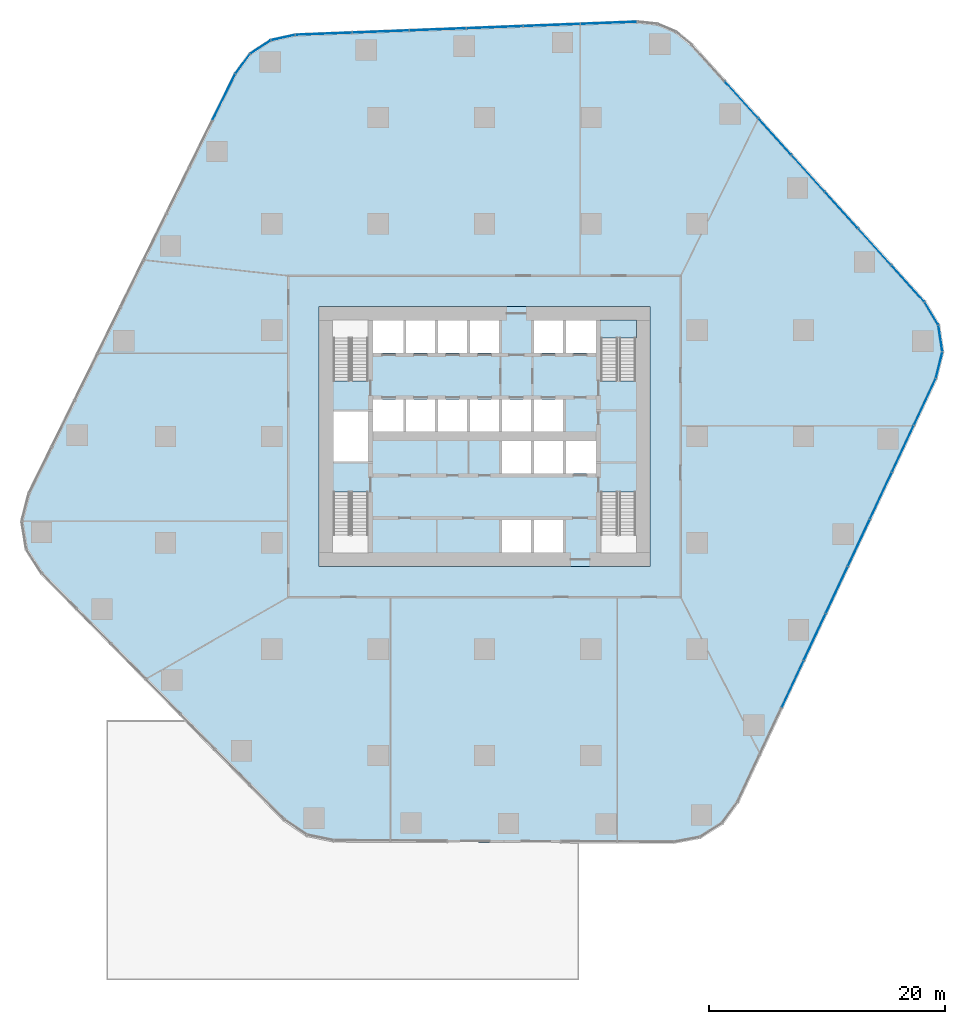
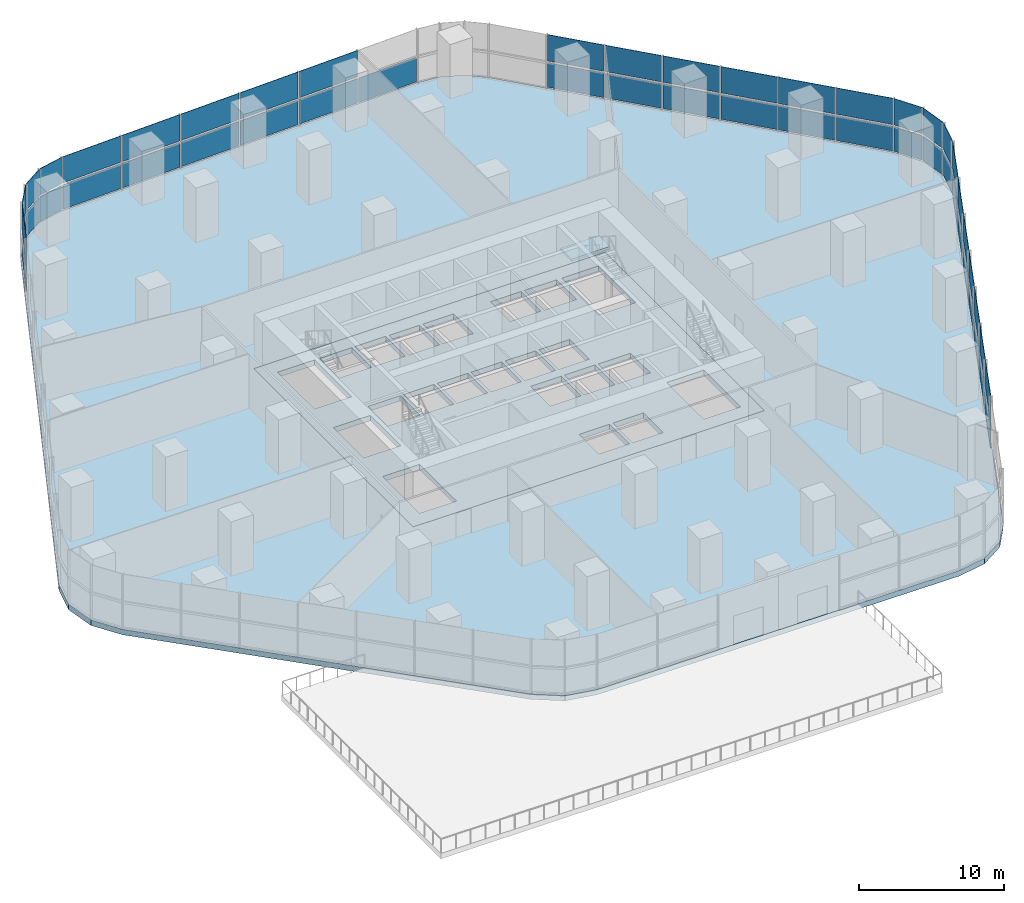
# One storey, part 9 of 15: 51 plates, 3 slabs, 7 elements without a shape of their own.
"""IFC4 building model written with IfcOpenShell, lengths in metres."""

from ifc_helpers import new_model, si_unit, direction, frame, origin, origin_2d, place, context, subcontext, project, spatial, polyline, rectangle, outline, extrude, material, layer, layer_set, type_object, element, aggregate, save


model = new_model("IFC4")

# Units and contexts
model_context = context("Model", 3, precision=1e-05, world=origin(), true_north=direction((0.0, 1.0)))
body_context = subcontext(model_context, "Body", "Model", "MODEL_VIEW")
ifc_project = project(units=[si_unit("LENGTHUNIT", "METRE"), si_unit("AREAUNIT", "SQUARE_METRE"), si_unit("VOLUMEUNIT", "CUBIC_METRE"), si_unit("PLANEANGLEUNIT", "RADIAN"), si_unit("MASSUNIT", "GRAM", prefix="KILO")], contexts=[model_context])

# Site, building, storey
site_placement = place(None, origin())
site = spatial("IfcSite", under=ifc_project, at=site_placement, CompositionType="ELEMENT")
building_placement = place(site_placement, origin())
building = spatial("IfcBuilding", under=site, at=building_placement, Name="Dongbaek Canopy Tower", CompositionType="ELEMENT")
storey_placement = place(building_placement, frame((0.0, 0.0, 33.0)))
storey = spatial("IfcBuildingStorey", under=building, at=storey_placement, Name="L04", CompositionType="ELEMENT", Elevation=33.0)

# Curtain wall, plates
ifc_material_1 = material(Name="Aluminium 6063-T6 pale anodised", Category="aluminium")
ifc_layer_1 = layer(ifc_material_1, 0.300048828125)
ifc_layer_set_1 = layer_set([ifc_layer_1], Name="CW-2 podium hall curtain wall")
curtain_wall_type = type_object("IfcCurtainWallType", Name="CW-2 podium hall curtain wall", PredefinedType="NOTDEFINED", material=ifc_layer_set_1)
curtain_wall_1_placement = place(storey_placement, origin())
curtain_wall_1 = element("IfcCurtainWall", 1, at=curtain_wall_1_placement, inside=storey, type_object=curtain_wall_type, Name="CW-2 curtain wall F0.1", PredefinedType="NOTDEFINED")
ifc_material_2 = material(Name="Clear laminated glass", Category="glass")
ifc_layer_2 = layer(ifc_material_2, 0.035888671875)
ifc_layer_set_2 = layer_set([ifc_layer_2], Name="CW-2 glazed panel 36")
plate_type = type_object("IfcPlateType", Name="CW-2 glazed panel 36", PredefinedType="CURTAIN_PANEL", material=ifc_layer_set_2)
plate_1_placement = place(storey_placement, frame((35.822265625, 12.94873046875, 0.159912109375), z_axis=(0.0, 0.0, 1.0), x_axis=(-0.671259708345, 0.741222236547, 0.0)))
plate_1 = element("IfcPlate", 2, at=plate_1_placement, type_object=plate_type, Name="CW-2 panel F0.1.1.1", PredefinedType="CURTAIN_PANEL", context=body_context, shape_type="SweptSolid", body=[
    extrude(rectangle(XDim=4.081298828125, YDim=0.035888671875, at=origin_2d()), origin(), (0.0, 0.0, 1.0), 2.06005859375),
])
plate_2_placement = place(storey_placement, frame((35.822265625, 12.94873046875, 2.3798828125), z_axis=(0.0, 0.0, 1.0), x_axis=(-0.671259708345, 0.741222236547, 0.0)))
plate_2 = element("IfcPlate", 3, at=plate_2_placement, type_object=plate_type, Name="CW-2 panel F0.1.1.2", PredefinedType="CURTAIN_PANEL", context=body_context, shape_type="SweptSolid", body=[
    extrude(rectangle(XDim=4.081298828125, YDim=0.035888671875, at=origin_2d()), origin(), (0.0, 0.0, 1.0), 2.219970703125),
])
plate_3_placement = place(storey_placement, frame((33.009521484375, 16.0546875, 0.159912109375), z_axis=(0.0, 0.0, 1.0), x_axis=(-0.671259708345, 0.741222236547, 0.0)))
plate_3 = element("IfcPlate", 4, at=plate_3_placement, type_object=plate_type, Name="CW-2 panel F0.1.2.1", PredefinedType="CURTAIN_PANEL", context=body_context, shape_type="SweptSolid", body=[
    extrude(rectangle(XDim=4.091064453125, YDim=0.035888671875, at=origin_2d()), origin(), (0.0, 0.0, 1.0), 2.06005859375),
])
plate_4_placement = place(storey_placement, frame((33.009521484375, 16.0546875, 2.3798828125), z_axis=(0.0, 0.0, 1.0), x_axis=(-0.671259708345, 0.741222236547, 0.0)))
plate_4 = element("IfcPlate", 5, at=plate_4_placement, type_object=plate_type, Name="CW-2 panel F0.1.2.2", PredefinedType="CURTAIN_PANEL", context=body_context, shape_type="SweptSolid", body=[
    extrude(rectangle(XDim=4.091064453125, YDim=0.035888671875, at=origin_2d()), origin(), (0.0, 0.0, 1.0), 2.219970703125),
])
plate_5_placement = place(storey_placement, frame((30.193603515625, 19.164306640625, 0.159912109375), z_axis=(0.0, 0.0, 1.0), x_axis=(-0.671259708345, 0.741222236547, 0.0)))
plate_5 = element("IfcPlate", 6, at=plate_5_placement, type_object=plate_type, Name="CW-2 panel F0.1.3.1", PredefinedType="CURTAIN_PANEL", context=body_context, shape_type="SweptSolid", body=[
    extrude(rectangle(XDim=4.091064453125, YDim=0.035888671875, at=origin_2d()), origin(), (0.0, 0.0, 1.0), 2.06005859375),
])
plate_6_placement = place(storey_placement, frame((30.193603515625, 19.164306640625, 2.3798828125), z_axis=(0.0, 0.0, 1.0), x_axis=(-0.671259708345, 0.741222236547, 0.0)))
plate_6 = element("IfcPlate", 7, at=plate_6_placement, type_object=plate_type, Name="CW-2 panel F0.1.3.2", PredefinedType="CURTAIN_PANEL", context=body_context, shape_type="SweptSolid", body=[
    extrude(rectangle(XDim=4.091064453125, YDim=0.035888671875, at=origin_2d()), origin(), (0.0, 0.0, 1.0), 2.219970703125),
])
plate_7_placement = place(storey_placement, frame((27.37744140625, 22.27392578125, 0.159912109375), z_axis=(0.0, 0.0, 1.0), x_axis=(-0.671259708345, 0.741222236547, 0.0)))
plate_7 = element("IfcPlate", 8, at=plate_7_placement, type_object=plate_type, Name="CW-2 panel F0.1.4.1", PredefinedType="CURTAIN_PANEL", context=body_context, shape_type="SweptSolid", body=[
    extrude(rectangle(XDim=4.091064453125, YDim=0.035888671875, at=origin_2d()), origin(), (0.0, 0.0, 1.0), 2.06005859375),
])
plate_8_placement = place(storey_placement, frame((27.37744140625, 22.27392578125, 2.3798828125), z_axis=(0.0, 0.0, 1.0), x_axis=(-0.671259708345, 0.741222236547, 0.0)))
plate_8 = element("IfcPlate", 9, at=plate_8_placement, type_object=plate_type, Name="CW-2 panel F0.1.4.2", PredefinedType="CURTAIN_PANEL", context=body_context, shape_type="SweptSolid", body=[
    extrude(rectangle(XDim=4.091064453125, YDim=0.035888671875, at=origin_2d()), origin(), (0.0, 0.0, 1.0), 2.219970703125),
])
plate_9_placement = place(storey_placement, frame((24.5615234375, 25.38330078125, 0.159912109375), z_axis=(0.0, 0.0, 1.0), x_axis=(-0.671259708345, 0.741222236547, 0.0)))
plate_9 = element("IfcPlate", 10, at=plate_9_placement, type_object=plate_type, Name="CW-2 panel F0.1.5.1", PredefinedType="CURTAIN_PANEL", context=body_context, shape_type="SweptSolid", body=[
    extrude(rectangle(XDim=4.091064453125, YDim=0.035888671875, at=origin_2d()), origin(), (0.0, 0.0, 1.0), 2.06005859375),
])
plate_10_placement = place(storey_placement, frame((24.5615234375, 25.38330078125, 2.3798828125), z_axis=(0.0, 0.0, 1.0), x_axis=(-0.671259708345, 0.741222236547, 0.0)))
plate_10 = element("IfcPlate", 11, at=plate_10_placement, type_object=plate_type, Name="CW-2 panel F0.1.5.2", PredefinedType="CURTAIN_PANEL", context=body_context, shape_type="SweptSolid", body=[
    extrude(rectangle(XDim=4.091064453125, YDim=0.035888671875, at=origin_2d()), origin(), (0.0, 0.0, 1.0), 2.219970703125),
])
plate_11_placement = place(storey_placement, frame((21.745361328125, 28.492919921875, 0.159912109375), z_axis=(0.0, 0.0, 1.0), x_axis=(-0.671259708345, 0.741222236547, 0.0)))
plate_11 = element("IfcPlate", 12, at=plate_11_placement, type_object=plate_type, Name="CW-2 panel F0.1.6.1", PredefinedType="CURTAIN_PANEL", context=body_context, shape_type="SweptSolid", body=[
    extrude(rectangle(XDim=4.091064453125, YDim=0.035888671875, at=origin_2d()), origin(), (0.0, 0.0, 1.0), 2.06005859375),
])
plate_12_placement = place(storey_placement, frame((21.745361328125, 28.492919921875, 2.3798828125), z_axis=(0.0, 0.0, 1.0), x_axis=(-0.671259708345, 0.741222236547, 0.0)))
plate_12 = element("IfcPlate", 13, at=plate_12_placement, type_object=plate_type, Name="CW-2 panel F0.1.6.2", PredefinedType="CURTAIN_PANEL", context=body_context, shape_type="SweptSolid", body=[
    extrude(rectangle(XDim=4.091064453125, YDim=0.035888671875, at=origin_2d()), origin(), (0.0, 0.0, 1.0), 2.219970703125),
])
aggregate(curtain_wall_1, [plate_1, plate_2, plate_3, plate_4, plate_5, plate_6, plate_7, plate_8, plate_9, plate_10, plate_11, plate_12])

curtain_wall_2_placement = place(storey_placement, origin())
curtain_wall_2 = element("IfcCurtainWall", 14, at=curtain_wall_2_placement, inside=storey, type_object=curtain_wall_type, Name="CW-2 curtain wall F1.1", PredefinedType="NOTDEFINED")
plate_13_placement = place(storey_placement, frame((10.507080078125, 35.0, 0.159912109375), z_axis=(0.0, 0.0, 1.0), x_axis=(-0.999268890746, -0.038231975991, 0.0)))
plate_13 = element("IfcPlate", 15, at=plate_13_placement, type_object=plate_type, Name="CW-2 panel F1.1.1.1", PredefinedType="CURTAIN_PANEL", context=body_context, shape_type="SweptSolid", body=[
    extrude(rectangle(XDim=4.716064453125, YDim=0.035888671875, at=origin_2d()), origin(), (0.0, 0.0, 1.0), 2.06005859375),
])
plate_14_placement = place(storey_placement, frame((5.686767578125, 34.815673828125, 0.159912109375), z_axis=(0.0, 0.0, 1.0), x_axis=(-0.999268890746, -0.038231975991, 0.0)))
plate_14 = element("IfcPlate", 16, at=plate_14_placement, type_object=plate_type, Name="CW-2 panel F1.1.2.1", PredefinedType="CURTAIN_PANEL", context=body_context, shape_type="SweptSolid", body=[
    extrude(rectangle(XDim=4.723388671875, YDim=0.035888671875, at=origin_2d()), origin(), (0.0, 0.0, 1.0), 2.06005859375),
])
plate_15_placement = place(storey_placement, frame((5.686767578125, 34.815673828125, 2.3798828125), z_axis=(0.0, 0.0, 1.0), x_axis=(-0.999268890746, -0.038231975991, 0.0)))
plate_15 = element("IfcPlate", 17, at=plate_15_placement, type_object=plate_type, Name="CW-2 panel F1.1.2.2", PredefinedType="CURTAIN_PANEL", context=body_context, shape_type="SweptSolid", body=[
    extrude(rectangle(XDim=4.723388671875, YDim=0.035888671875, at=origin_2d()), origin(), (0.0, 0.0, 1.0), 2.219970703125),
])
plate_16_placement = place(storey_placement, frame((0.86279296875, 34.631103515625, 0.159912109375), z_axis=(0.0, 0.0, 1.0), x_axis=(-0.999268890746, -0.038231975991, 0.0)))
plate_16 = element("IfcPlate", 18, at=plate_16_placement, type_object=plate_type, Name="CW-2 panel F1.1.3.1", PredefinedType="CURTAIN_PANEL", context=body_context, shape_type="SweptSolid", body=[
    extrude(rectangle(XDim=4.723388671875, YDim=0.035888671875, at=origin_2d()), origin(), (0.0, 0.0, 1.0), 2.06005859375),
])
plate_17_placement = place(storey_placement, frame((0.86279296875, 34.631103515625, 2.3798828125), z_axis=(0.0, 0.0, 1.0), x_axis=(-0.999268890746, -0.038231975991, 0.0)))
plate_17 = element("IfcPlate", 19, at=plate_17_placement, type_object=plate_type, Name="CW-2 panel F1.1.3.2", PredefinedType="CURTAIN_PANEL", context=body_context, shape_type="SweptSolid", body=[
    extrude(rectangle(XDim=4.723388671875, YDim=0.035888671875, at=origin_2d()), origin(), (0.0, 0.0, 1.0), 2.219970703125),
])
plate_18_placement = place(storey_placement, frame((-3.9609375, 34.446533203125, 0.159912109375), z_axis=(0.0, 0.0, 1.0), x_axis=(-0.999268890746, -0.038231975991, 0.0)))
plate_18 = element("IfcPlate", 20, at=plate_18_placement, type_object=plate_type, Name="CW-2 panel F1.1.4.1", PredefinedType="CURTAIN_PANEL", context=body_context, shape_type="SweptSolid", body=[
    extrude(rectangle(XDim=4.723388671875, YDim=0.035888671875, at=origin_2d()), origin(), (0.0, 0.0, 1.0), 2.06005859375),
])
plate_19_placement = place(storey_placement, frame((-3.9609375, 34.446533203125, 2.3798828125), z_axis=(0.0, 0.0, 1.0), x_axis=(-0.999268890746, -0.038231975991, 0.0)))
plate_19 = element("IfcPlate", 21, at=plate_19_placement, type_object=plate_type, Name="CW-2 panel F1.1.4.2", PredefinedType="CURTAIN_PANEL", context=body_context, shape_type="SweptSolid", body=[
    extrude(rectangle(XDim=4.723388671875, YDim=0.035888671875, at=origin_2d()), origin(), (0.0, 0.0, 1.0), 2.219970703125),
])
plate_20_placement = place(storey_placement, frame((-8.784912109375, 34.261962890625, 0.159912109375), z_axis=(0.0, 0.0, 1.0), x_axis=(-0.999268890746, -0.038231975991, 0.0)))
plate_20 = element("IfcPlate", 22, at=plate_20_placement, type_object=plate_type, Name="CW-2 panel F1.1.5.1", PredefinedType="CURTAIN_PANEL", context=body_context, shape_type="SweptSolid", body=[
    extrude(rectangle(XDim=4.723388671875, YDim=0.035888671875, at=origin_2d()), origin(), (0.0, 0.0, 1.0), 2.06005859375),
])
plate_21_placement = place(storey_placement, frame((-8.784912109375, 34.261962890625, 2.3798828125), z_axis=(0.0, 0.0, 1.0), x_axis=(-0.999268890746, -0.038231975991, 0.0)))
plate_21 = element("IfcPlate", 23, at=plate_21_placement, type_object=plate_type, Name="CW-2 panel F1.1.5.2", PredefinedType="CURTAIN_PANEL", context=body_context, shape_type="SweptSolid", body=[
    extrude(rectangle(XDim=4.723388671875, YDim=0.035888671875, at=origin_2d()), origin(), (0.0, 0.0, 1.0), 2.219970703125),
])
plate_22_placement = place(storey_placement, frame((-13.604248046875, 34.07763671875, 0.159912109375), z_axis=(0.0, 0.0, 1.0), x_axis=(-0.999268890746, -0.038231975991, 0.0)))
plate_22 = element("IfcPlate", 24, at=plate_22_placement, type_object=plate_type, Name="CW-2 panel F1.1.6.1", PredefinedType="CURTAIN_PANEL", context=body_context, shape_type="SweptSolid", body=[
    extrude(rectangle(XDim=4.71435546875, YDim=0.035888671875, at=origin_2d()), origin(), (0.0, 0.0, 1.0), 2.06005859375),
])
plate_23_placement = place(storey_placement, frame((-13.604248046875, 34.07763671875, 2.3798828125), z_axis=(0.0, 0.0, 1.0), x_axis=(-0.999268890746, -0.038231975991, 0.0)))
plate_23 = element("IfcPlate", 25, at=plate_23_placement, type_object=plate_type, Name="CW-2 panel F1.1.6.2", PredefinedType="CURTAIN_PANEL", context=body_context, shape_type="SweptSolid", body=[
    extrude(rectangle(XDim=4.71435546875, YDim=0.035888671875, at=origin_2d()), origin(), (0.0, 0.0, 1.0), 2.219970703125),
])
aggregate(curtain_wall_2, [plate_13, plate_14, plate_15, plate_16, plate_17, plate_18, plate_19, plate_20, plate_21, plate_22, plate_23])

curtain_wall_3_placement = place(storey_placement, origin())
curtain_wall_3 = element("IfcCurtainWall", 26, at=curtain_wall_3_placement, inside=storey, type_object=curtain_wall_type, Name="CW-2 curtain wall K1.1", PredefinedType="NOTDEFINED")
plate_24_placement = place(storey_placement, frame((-17.04296875, 33.757568359375, 0.159912109375), z_axis=(0.0, 0.0, 1.0), x_axis=(-0.976443135991, -0.215774887734, 0.0)))
plate_24 = element("IfcPlate", 27, at=plate_24_placement, type_object=plate_type, Name="CW-2 panel K1.1.1.1", PredefinedType="CURTAIN_PANEL", context=body_context, shape_type="SweptSolid", body=[
    extrude(rectangle(XDim=2.00830078125, YDim=0.035888671875, at=origin_2d()), origin(), (0.0, 0.0, 1.0), 2.06005859375),
])
plate_25_placement = place(storey_placement, frame((-17.04296875, 33.757568359375, 2.3798828125), z_axis=(0.0, 0.0, 1.0), x_axis=(-0.976443135991, -0.215774887734, 0.0)))
plate_25 = element("IfcPlate", 28, at=plate_25_placement, type_object=plate_type, Name="CW-2 panel K1.1.1.2", PredefinedType="CURTAIN_PANEL", context=body_context, shape_type="SweptSolid", body=[
    extrude(rectangle(XDim=2.00830078125, YDim=0.035888671875, at=origin_2d()), origin(), (0.0, 0.0, 1.0), 2.219970703125),
])
plate_26_placement = place(storey_placement, frame((-18.956298828125, 32.956787109375, 0.159912109375), z_axis=(0.0, 0.0, 1.0), x_axis=(-0.83866333439, -0.544650173552, 0.0)))
plate_26 = element("IfcPlate", 29, at=plate_26_placement, type_object=plate_type, Name="CW-2 panel K1.1.2.1", PredefinedType="CURTAIN_PANEL", context=body_context, shape_type="SweptSolid", body=[
    extrude(rectangle(XDim=1.999267578125, YDim=0.035888671875, at=origin_2d()), origin(), (0.0, 0.0, 1.0), 2.06005859375),
])
plate_27_placement = place(storey_placement, frame((-18.956298828125, 32.956787109375, 2.3798828125), z_axis=(0.0, 0.0, 1.0), x_axis=(-0.83866333439, -0.544650173552, 0.0)))
plate_27 = element("IfcPlate", 30, at=plate_27_placement, type_object=plate_type, Name="CW-2 panel K1.1.2.2", PredefinedType="CURTAIN_PANEL", context=body_context, shape_type="SweptSolid", body=[
    extrude(rectangle(XDim=1.999267578125, YDim=0.035888671875, at=origin_2d()), origin(), (0.0, 0.0, 1.0), 2.219970703125),
])
plate_28_placement = place(storey_placement, frame((-20.4658203125, 31.53466796875, 0.159912109375), z_axis=(0.0, 0.0, 1.0), x_axis=(-0.594253266515, -0.804277971373, 0.0)))
plate_28 = element("IfcPlate", 31, at=plate_28_placement, type_object=plate_type, Name="CW-2 panel K1.1.3.1", PredefinedType="CURTAIN_PANEL", context=body_context, shape_type="SweptSolid", body=[
    extrude(rectangle(XDim=2.00830078125, YDim=0.035888671875, at=origin_2d()), origin(), (0.0, 0.0, 1.0), 2.06005859375),
])
plate_29_placement = place(storey_placement, frame((-20.4658203125, 31.53466796875, 2.3798828125), z_axis=(0.0, 0.0, 1.0), x_axis=(-0.594253266515, -0.804277971373, 0.0)))
plate_29 = element("IfcPlate", 32, at=plate_29_placement, type_object=plate_type, Name="CW-2 panel K1.1.3.2", PredefinedType="CURTAIN_PANEL", context=body_context, shape_type="SweptSolid", body=[
    extrude(rectangle(XDim=2.00830078125, YDim=0.035888671875, at=origin_2d()), origin(), (0.0, 0.0, 1.0), 2.219970703125),
])
aggregate(curtain_wall_3, [plate_24, plate_25, plate_26, plate_27, plate_28, plate_29])

curtain_wall_4_placement = place(storey_placement, origin())
curtain_wall_4 = element("IfcCurtainWall", 33, at=curtain_wall_4_placement, inside=storey, type_object=curtain_wall_type, Name="CW-2 curtain wall F2.1", PredefinedType="NOTDEFINED")
plate_30_placement = place(storey_placement, frame((-22.062255859375, 28.71533203125, 0.159912109375), z_axis=(0.0, 0.0, 1.0), x_axis=(-0.441341613378, -0.897339166815, 0.0)))
plate_30 = element("IfcPlate", 34, at=plate_30_placement, type_object=plate_type, Name="CW-2 panel F2.1.1.1", PredefinedType="CURTAIN_PANEL", context=body_context, shape_type="SweptSolid", body=[
    extrude(rectangle(XDim=4.286376953125, YDim=0.035888671875, at=origin_2d()), origin(), (0.0, 0.0, 1.0), 2.06005859375),
])
plate_31_placement = place(storey_placement, frame((-22.062255859375, 28.71533203125, 2.3798828125), z_axis=(0.0, 0.0, 1.0), x_axis=(-0.441341613378, -0.897339166815, 0.0)))
plate_31 = element("IfcPlate", 35, at=plate_31_placement, type_object=plate_type, Name="CW-2 panel F2.1.1.2", PredefinedType="CURTAIN_PANEL", context=body_context, shape_type="SweptSolid", body=[
    extrude(rectangle(XDim=4.286376953125, YDim=0.035888671875, at=origin_2d()), origin(), (0.0, 0.0, 1.0), 2.219970703125),
])
aggregate(curtain_wall_4, [plate_30, plate_31])

curtain_wall_5_placement = place(storey_placement, origin())
curtain_wall_5 = element("IfcCurtainWall", 36, at=curtain_wall_5_placement, inside=storey, type_object=curtain_wall_type, Name="CW-2 curtain wall F5.1", PredefinedType="NOTDEFINED")
plate_32_placement = place(storey_placement, frame((26.078857421875, -20.961181640625, 0.159912109375), z_axis=(0.0, 0.0, 1.0), x_axis=(0.424122871275, 0.905604654395, 0.0)))
plate_32 = element("IfcPlate", 37, at=plate_32_placement, type_object=plate_type, Name="CW-2 panel F5.1.3.1", PredefinedType="CURTAIN_PANEL", context=body_context, shape_type="SweptSolid", body=[
    extrude(rectangle(XDim=4.2939453125, YDim=0.035888671875, at=origin_2d()), origin(), (0.0, 0.0, 1.0), 2.06005859375),
])
plate_33_placement = place(storey_placement, frame((26.078857421875, -20.961181640625, 2.3798828125), z_axis=(0.0, 0.0, 1.0), x_axis=(0.424122871275, 0.905604654395, 0.0)))
plate_33 = element("IfcPlate", 38, at=plate_33_placement, type_object=plate_type, Name="CW-2 panel F5.1.3.2", PredefinedType="CURTAIN_PANEL", context=body_context, shape_type="SweptSolid", body=[
    extrude(rectangle(XDim=4.2939453125, YDim=0.035888671875, at=origin_2d()), origin(), (0.0, 0.0, 1.0), 2.219970703125),
])
plate_34_placement = place(storey_placement, frame((27.9443359375, -16.978271484375, 0.159912109375), z_axis=(0.0, 0.0, 1.0), x_axis=(0.424122871275, 0.905604654395, 0.0)))
plate_34 = element("IfcPlate", 39, at=plate_34_placement, type_object=plate_type, Name="CW-2 panel F5.1.4.1", PredefinedType="CURTAIN_PANEL", context=body_context, shape_type="SweptSolid", body=[
    extrude(rectangle(XDim=4.2939453125, YDim=0.035888671875, at=origin_2d()), origin(), (0.0, 0.0, 1.0), 2.06005859375),
])
plate_35_placement = place(storey_placement, frame((27.9443359375, -16.978271484375, 2.3798828125), z_axis=(0.0, 0.0, 1.0), x_axis=(0.424122871275, 0.905604654395, 0.0)))
plate_35 = element("IfcPlate", 40, at=plate_35_placement, type_object=plate_type, Name="CW-2 panel F5.1.4.2", PredefinedType="CURTAIN_PANEL", context=body_context, shape_type="SweptSolid", body=[
    extrude(rectangle(XDim=4.2939453125, YDim=0.035888671875, at=origin_2d()), origin(), (0.0, 0.0, 1.0), 2.219970703125),
])
plate_36_placement = place(storey_placement, frame((29.8095703125, -12.995361328125, 0.159912109375), z_axis=(0.0, 0.0, 1.0), x_axis=(0.424122871275, 0.905604654395, 0.0)))
plate_36 = element("IfcPlate", 41, at=plate_36_placement, type_object=plate_type, Name="CW-2 panel F5.1.5.1", PredefinedType="CURTAIN_PANEL", context=body_context, shape_type="SweptSolid", body=[
    extrude(rectangle(XDim=4.2939453125, YDim=0.035888671875, at=origin_2d()), origin(), (0.0, 0.0, 1.0), 2.06005859375),
])
plate_37_placement = place(storey_placement, frame((29.8095703125, -12.995361328125, 2.3798828125), z_axis=(0.0, 0.0, 1.0), x_axis=(0.424122871275, 0.905604654395, 0.0)))
plate_37 = element("IfcPlate", 42, at=plate_37_placement, type_object=plate_type, Name="CW-2 panel F5.1.5.2", PredefinedType="CURTAIN_PANEL", context=body_context, shape_type="SweptSolid", body=[
    extrude(rectangle(XDim=4.2939453125, YDim=0.035888671875, at=origin_2d()), origin(), (0.0, 0.0, 1.0), 2.219970703125),
])
plate_38_placement = place(storey_placement, frame((31.6748046875, -9.012451171875, 0.159912109375), z_axis=(0.0, 0.0, 1.0), x_axis=(0.424122871275, 0.905604654395, 0.0)))
plate_38 = element("IfcPlate", 43, at=plate_38_placement, type_object=plate_type, Name="CW-2 panel F5.1.6.1", PredefinedType="CURTAIN_PANEL", context=body_context, shape_type="SweptSolid", body=[
    extrude(rectangle(XDim=4.2939453125, YDim=0.035888671875, at=origin_2d()), origin(), (0.0, 0.0, 1.0), 2.06005859375),
])
plate_39_placement = place(storey_placement, frame((31.6748046875, -9.012451171875, 2.3798828125), z_axis=(0.0, 0.0, 1.0), x_axis=(0.424122871275, 0.905604654395, 0.0)))
plate_39 = element("IfcPlate", 44, at=plate_39_placement, type_object=plate_type, Name="CW-2 panel F5.1.6.2", PredefinedType="CURTAIN_PANEL", context=body_context, shape_type="SweptSolid", body=[
    extrude(rectangle(XDim=4.2939453125, YDim=0.035888671875, at=origin_2d()), origin(), (0.0, 0.0, 1.0), 2.219970703125),
])
plate_40_placement = place(storey_placement, frame((33.540283203125, -5.029541015625, 0.159912109375), z_axis=(0.0, 0.0, 1.0), x_axis=(0.424122871275, 0.905604654395, 0.0)))
plate_40 = element("IfcPlate", 45, at=plate_40_placement, type_object=plate_type, Name="CW-2 panel F5.1.7.1", PredefinedType="CURTAIN_PANEL", context=body_context, shape_type="SweptSolid", body=[
    extrude(rectangle(XDim=4.2939453125, YDim=0.035888671875, at=origin_2d()), origin(), (0.0, 0.0, 1.0), 2.06005859375),
])
plate_41_placement = place(storey_placement, frame((33.540283203125, -5.029541015625, 2.3798828125), z_axis=(0.0, 0.0, 1.0), x_axis=(0.424122871275, 0.905604654395, 0.0)))
plate_41 = element("IfcPlate", 46, at=plate_41_placement, type_object=plate_type, Name="CW-2 panel F5.1.7.2", PredefinedType="CURTAIN_PANEL", context=body_context, shape_type="SweptSolid", body=[
    extrude(rectangle(XDim=4.2939453125, YDim=0.035888671875, at=origin_2d()), origin(), (0.0, 0.0, 1.0), 2.219970703125),
])
plate_42_placement = place(storey_placement, frame((35.405517578125, -1.046630859375, 0.159912109375), z_axis=(0.0, 0.0, 1.0), x_axis=(0.424122871275, 0.905604654395, 0.0)))
plate_42 = element("IfcPlate", 47, at=plate_42_placement, type_object=plate_type, Name="CW-2 panel F5.1.8.1", PredefinedType="CURTAIN_PANEL", context=body_context, shape_type="SweptSolid", body=[
    extrude(rectangle(XDim=4.2939453125, YDim=0.035888671875, at=origin_2d()), origin(), (0.0, 0.0, 1.0), 2.06005859375),
])
plate_43_placement = place(storey_placement, frame((35.405517578125, -1.046630859375, 2.3798828125), z_axis=(0.0, 0.0, 1.0), x_axis=(0.424122871275, 0.905604654395, 0.0)))
plate_43 = element("IfcPlate", 48, at=plate_43_placement, type_object=plate_type, Name="CW-2 panel F5.1.8.2", PredefinedType="CURTAIN_PANEL", context=body_context, shape_type="SweptSolid", body=[
    extrude(rectangle(XDim=4.2939453125, YDim=0.035888671875, at=origin_2d()), origin(), (0.0, 0.0, 1.0), 2.219970703125),
])
plate_44_placement = place(storey_placement, frame((37.268798828125, 2.931884765625, 0.159912109375), z_axis=(0.0, 0.0, 1.0), x_axis=(0.424122871275, 0.905604654395, 0.0)))
plate_44 = element("IfcPlate", 49, at=plate_44_placement, type_object=plate_type, Name="CW-2 panel F5.1.9.1", PredefinedType="CURTAIN_PANEL", context=body_context, shape_type="SweptSolid", body=[
    extrude(rectangle(XDim=4.2841796875, YDim=0.035888671875, at=origin_2d()), origin(), (0.0, 0.0, 1.0), 2.06005859375),
])
plate_45_placement = place(storey_placement, frame((37.268798828125, 2.931884765625, 2.3798828125), z_axis=(0.0, 0.0, 1.0), x_axis=(0.424122871275, 0.905604654395, 0.0)))
plate_45 = element("IfcPlate", 50, at=plate_45_placement, type_object=plate_type, Name="CW-2 panel F5.1.9.2", PredefinedType="CURTAIN_PANEL", context=body_context, shape_type="SweptSolid", body=[
    extrude(rectangle(XDim=4.2841796875, YDim=0.035888671875, at=origin_2d()), origin(), (0.0, 0.0, 1.0), 2.219970703125),
])
aggregate(curtain_wall_5, [plate_32, plate_33, plate_34, plate_35, plate_36, plate_37, plate_38, plate_39, plate_40, plate_41, plate_42, plate_43, plate_44, plate_45])

curtain_wall_6_placement = place(storey_placement, origin())
curtain_wall_6 = element("IfcCurtainWall", 51, at=curtain_wall_6_placement, inside=storey, type_object=curtain_wall_type, Name="CW-2 curtain wall K5.1", PredefinedType="NOTDEFINED")
plate_46_placement = place(storey_placement, frame((38.4755859375, 6.036865234375, 0.159912109375), z_axis=(0.0, 0.0, 1.0), x_axis=(0.239977748291, 0.970778388884, 0.0)))
plate_46 = element("IfcPlate", 52, at=plate_46_placement, type_object=plate_type, Name="CW-2 panel K5.1.1.1", PredefinedType="CURTAIN_PANEL", context=body_context, shape_type="SweptSolid", body=[
    extrude(rectangle(XDim=2.19921875, YDim=0.035888671875, at=origin_2d()), origin(), (0.0, 0.0, 1.0), 2.06005859375),
])
plate_47_placement = place(storey_placement, frame((38.4755859375, 6.036865234375, 2.3798828125), z_axis=(0.0, 0.0, 1.0), x_axis=(0.239977748291, 0.970778388884, 0.0)))
plate_47 = element("IfcPlate", 53, at=plate_47_placement, type_object=plate_type, Name="CW-2 panel K5.1.1.2", PredefinedType="CURTAIN_PANEL", context=body_context, shape_type="SweptSolid", body=[
    extrude(rectangle(XDim=2.19921875, YDim=0.035888671875, at=origin_2d()), origin(), (0.0, 0.0, 1.0), 2.219970703125),
])
plate_48_placement = place(storey_placement, frame((38.581787109375, 8.28857421875, 0.159912109375), z_axis=(0.0, 0.0, 1.0), x_axis=(-0.148406459989, 0.988926449557, 0.0)))
plate_48 = element("IfcPlate", 54, at=plate_48_placement, type_object=plate_type, Name="CW-2 panel K5.1.2.1", PredefinedType="CURTAIN_PANEL", context=body_context, shape_type="SweptSolid", body=[
    extrude(rectangle(XDim=2.189208984375, YDim=0.035888671875, at=origin_2d()), origin(), (0.0, 0.0, 1.0), 2.06005859375),
])
plate_49_placement = place(storey_placement, frame((38.581787109375, 8.28857421875, 2.3798828125), z_axis=(0.0, 0.0, 1.0), x_axis=(-0.148406459989, 0.988926449557, 0.0)))
plate_49 = element("IfcPlate", 55, at=plate_49_placement, type_object=plate_type, Name="CW-2 panel K5.1.2.2", PredefinedType="CURTAIN_PANEL", context=body_context, shape_type="SweptSolid", body=[
    extrude(rectangle(XDim=2.189208984375, YDim=0.035888671875, at=origin_2d()), origin(), (0.0, 0.0, 1.0), 2.219970703125),
])
plate_50_placement = place(storey_placement, frame((37.8193359375, 10.41015625, 0.159912109375), z_axis=(0.0, 0.0, 1.0), x_axis=(-0.514356497159, 0.857576465297, 0.0)))
plate_50 = element("IfcPlate", 56, at=plate_50_placement, type_object=plate_type, Name="CW-2 panel K5.1.3.1", PredefinedType="CURTAIN_PANEL", context=body_context, shape_type="SweptSolid", body=[
    extrude(rectangle(XDim=2.19921875, YDim=0.035888671875, at=origin_2d()), origin(), (0.0, 0.0, 1.0), 2.06005859375),
])
plate_51_placement = place(storey_placement, frame((37.8193359375, 10.41015625, 2.3798828125), z_axis=(0.0, 0.0, 1.0), x_axis=(-0.514356497159, 0.857576465297, 0.0)))
plate_51 = element("IfcPlate", 57, at=plate_51_placement, type_object=plate_type, Name="CW-2 panel K5.1.3.2", PredefinedType="CURTAIN_PANEL", context=body_context, shape_type="SweptSolid", body=[
    extrude(rectangle(XDim=2.19921875, YDim=0.035888671875, at=origin_2d()), origin(), (0.0, 0.0, 1.0), 2.219970703125),
])
aggregate(curtain_wall_6, [plate_46, plate_47, plate_48, plate_49, plate_50, plate_51])

# Slab
ifc_material_3 = material(Name="Concrete C40/50", Category="concrete")
ifc_layer_3 = layer(ifc_material_3, 0.449951171875)
ifc_layer_set_3 = layer_set([ifc_layer_3], Name="Core floor slab 450 Concrete C40/50")
slab_type_1 = type_object("IfcSlabType", Name="Core floor slab 450 Concrete C40/50", PredefinedType="FLOOR", material=ifc_layer_set_3)
slab_1_placement = place(storey_placement, frame((0.0, 0.0, -0.449951171875)))
element("IfcSlab", 58, at=slab_1_placement, inside=storey, type_object=slab_type_1, Name="Core floor slab L04", PredefinedType="FLOOR", context=body_context, shape_type="SweptSolid", body=[
    extrude(outline(polyline([(14.0, -11.0), (14.0, 11.0), (-14.0, 11.0), (-14.0, -11.0), (14.0, -11.0)]), holes=[polyline([(-12.800048828125, 2.10009765625), (-9.85009765625, 2.10009765625), (-9.85009765625, -2.10009765625), (-12.800048828125, -2.10009765625), (-12.800048828125, 2.10009765625)]), polyline([(-6.875, 9.800048828125), (-6.875, 7.074951171875), (-9.449951171875, 7.074951171875), (-9.449951171875, 9.800048828125), (-6.875, 9.800048828125)]), polyline([(-4.175048828125, 9.800048828125), (-4.175048828125, 7.074951171875), (-6.625, 7.074951171875), (-6.625, 9.800048828125), (-4.175048828125, 9.800048828125)]), polyline([(-1.47509765625, 9.800048828125), (-1.47509765625, 7.074951171875), (-3.925048828125, 7.074951171875), (-3.925048828125, 9.800048828125), (-1.47509765625, 9.800048828125)]), polyline([(1.22509765625, 9.800048828125), (1.22509765625, 7.074951171875), (-1.22509765625, 7.074951171875), (-1.22509765625, 9.800048828125), (1.22509765625, 9.800048828125)]), polyline([(6.625, 9.800048828125), (6.625, 7.074951171875), (4.175048828125, 7.074951171875), (4.175048828125, 9.800048828125), (6.625, 9.800048828125)]), polyline([(9.449951171875, 7.074951171875), (6.875, 7.074951171875), (6.875, 9.800048828125), (9.449951171875, 9.800048828125), (9.449951171875, 7.074951171875)]), polyline([(-9.449951171875, 3.125), (-6.875, 3.125), (-6.875, 0.39990234375), (-9.449951171875, 0.39990234375), (-9.449951171875, 3.125)]), polyline([(-6.625, 3.125), (-4.175048828125, 3.125), (-4.175048828125, 0.39990234375), (-6.625, 0.39990234375), (-6.625, 3.125)]), polyline([(-3.925048828125, 3.125), (-1.47509765625, 3.125), (-1.47509765625, 0.39990234375), (-3.925048828125, 0.39990234375), (-3.925048828125, 3.125)]), polyline([(-1.22509765625, 3.125), (1.22509765625, 3.125), (1.22509765625, 0.39990234375), (-1.22509765625, 0.39990234375), (-1.22509765625, 3.125)]), polyline([(1.47509765625, 0.39990234375), (1.47509765625, 3.125), (3.925048828125, 3.125), (3.925048828125, 0.39990234375), (1.47509765625, 0.39990234375)]), polyline([(4.175048828125, 0.39990234375), (4.175048828125, 3.125), (6.625, 3.125), (6.625, 0.39990234375), (4.175048828125, 0.39990234375)]), polyline([(3.925048828125, -0.39990234375), (3.925048828125, -3.125), (1.47509765625, -3.125), (1.47509765625, -0.39990234375), (3.925048828125, -0.39990234375)]), polyline([(6.625, -0.39990234375), (6.625, -3.125), (4.175048828125, -3.125), (4.175048828125, -0.39990234375), (6.625, -0.39990234375)]), polyline([(9.449951171875, -3.125), (6.875, -3.125), (6.875, -0.39990234375), (9.449951171875, -0.39990234375), (9.449951171875, -3.125)]), polyline([(1.47509765625, -9.800048828125), (1.47509765625, -7.074951171875), (3.925048828125, -7.074951171875), (3.925048828125, -9.800048828125), (1.47509765625, -9.800048828125)]), polyline([(4.175048828125, -9.800048828125), (4.175048828125, -7.074951171875), (6.625, -7.074951171875), (6.625, -9.800048828125), (4.175048828125, -9.800048828125)]), polyline([(12.800048828125, 4.70068359375), (12.800048828125, 9.800048828125), (9.85009765625, 9.800048828125), (9.85009765625, 4.70068359375), (12.800048828125, 4.70068359375)]), polyline([(-9.85009765625, 4.70068359375), (-9.85009765625, 9.800048828125), (-12.800048828125, 9.800048828125), (-12.800048828125, 4.70068359375), (-9.85009765625, 4.70068359375)]), polyline([(9.85009765625, -4.70068359375), (9.85009765625, -9.800048828125), (12.800048828125, -9.800048828125), (12.800048828125, -4.70068359375), (9.85009765625, -4.70068359375)]), polyline([(-12.800048828125, -4.70068359375), (-12.800048828125, -9.800048828125), (-9.85009765625, -9.800048828125), (-9.85009765625, -4.70068359375), (-12.800048828125, -4.70068359375)])]), origin(), (0.0, 0.0, 1.0), 0.449951171875),
])

# Stair, slab
ifc_material_4 = material(Name="Concrete C40/50", Category="concrete")
stair_type = type_object("IfcStairType", Name="Core exit stair", PredefinedType="HALF_TURN_STAIR", material=ifc_material_4)
stair_placement = place(storey_placement, origin())
stair = element("IfcStair", 59, at=stair_placement, inside=storey, type_object=stair_type, Name="L04 exit stair A", PredefinedType="HALF_TURN_STAIR")
ifc_material_5 = material(Name="Concrete C40/50", Category="concrete")
ifc_layer_4 = layer(ifc_material_5, 0.199951171875)
ifc_layer_set_4 = layer_set([ifc_layer_4], Name="Core stair landing 200")
slab_type_2 = type_object("IfcSlabType", Name="Core stair landing 200", PredefinedType="LANDING", material=ifc_layer_set_4)
slab_2_placement = place(storey_placement, frame((0.0, 0.0, 2.300048828125)))
slab_2 = element("IfcSlab", 60, at=slab_2_placement, type_object=slab_type_2, Name="ST-A landing 1", PredefinedType="LANDING", context=body_context, shape_type="SweptSolid", body=[
    extrude(outline(polyline([(12.875, 8.340087890625), (12.875, 9.875), (9.77490234375, 9.875), (9.77490234375, 8.340087890625), (12.875, 8.340087890625)])), origin(), (0.0, 0.0, 1.0), 0.199951171875),
])
aggregate(stair, [slab_2])

# Slab
ifc_material_6 = material(Name="Concrete C40", Category="concrete")
ifc_layer_5 = layer(ifc_material_6, 0.449951171875)
ifc_layer_set_5 = layer_set([ifc_layer_5], Name="RC FLAT PLATE 450 Concrete C40")
slab_type_3 = type_object("IfcSlabType", Name="RC FLAT PLATE 450 Concrete C40", PredefinedType="FLOOR", material=ifc_layer_set_5)
slab_3_placement = place(storey_placement, frame((0.0, 0.0, -0.449951171875)))
element("IfcSlab", 61, at=slab_3_placement, inside=storey, type_object=slab_type_3, Name="SLAB:L04", PredefinedType="FLOOR", context=body_context, shape_type="SweptSolid", body=[
    extrude(outline(polyline([(38.2939453125, 4.88525390625), (21.506103515625, -30.960693359375), (20.1787109375, -32.791015625), (18.26806640625, -34.0), (16.0458984375, -34.416015625), (-12.764404296875, -34.287353515625), (-15.067138671875, -33.81689453125), (-17.012451171875, -32.497802734375), (-37.544921875, -11.651123046875), (-38.872314453125, -9.589111328125), (-39.263916015625, -7.168212890625), (-38.654052734375, -4.792724609375), (-21.17919921875, 30.7373046875), (-19.90771484375, 32.4580078125), (-18.113525390625, 33.623291015625), (-16.0244140625, 34.0849609375), (12.918701171875, 35.1923828125), (14.64892578125, 35.006103515625), (16.252685546875, 34.3310546875), (17.595458984375, 33.224365234375), (37.307861328125, 11.45751953125), (38.5078125, 9.45703125), (38.85400390625, 7.14990234375), (38.2939453125, 4.88525390625)]), holes=[polyline([(14.0, 11.0), (-14.0, 11.0), (-14.0, -11.0), (14.0, -11.0), (14.0, 11.0)])]), origin(), (0.0, 0.0, 1.0), 0.449951171875),
])

save(model, "model.ifc")
